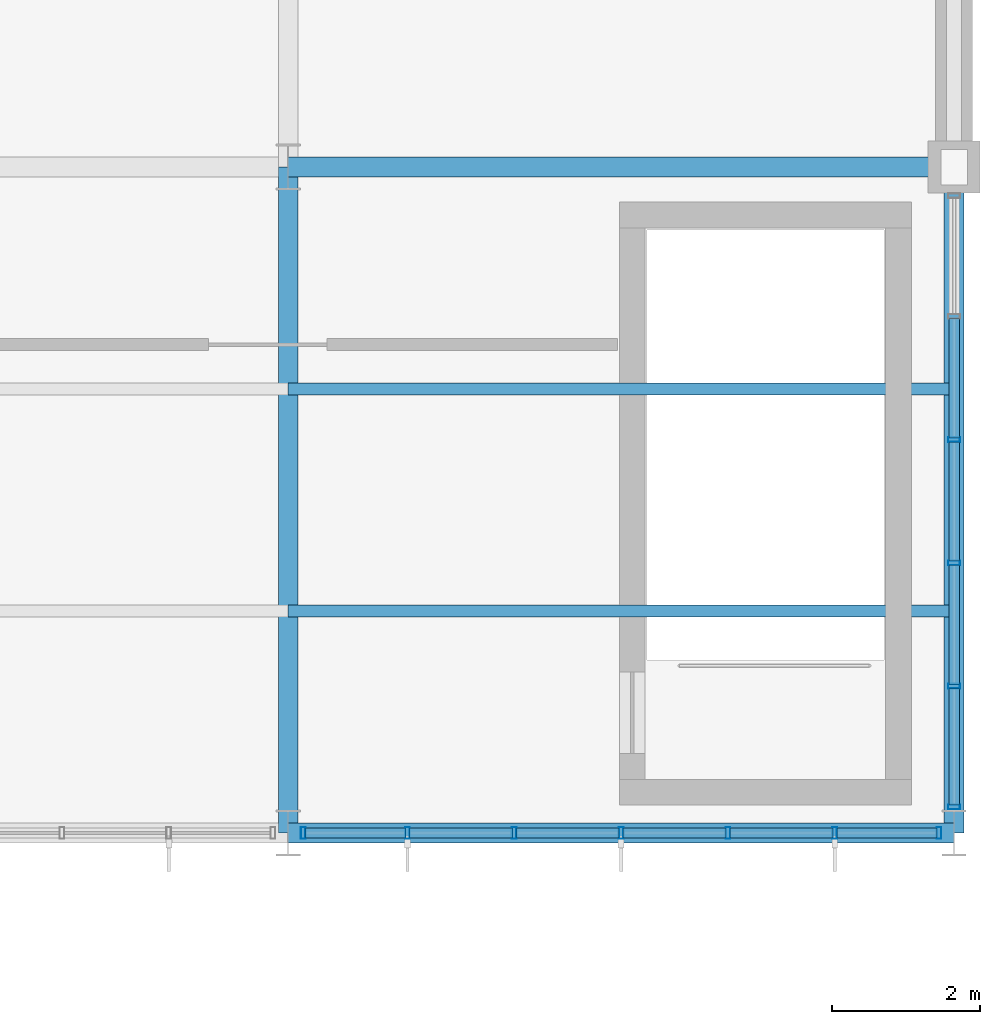
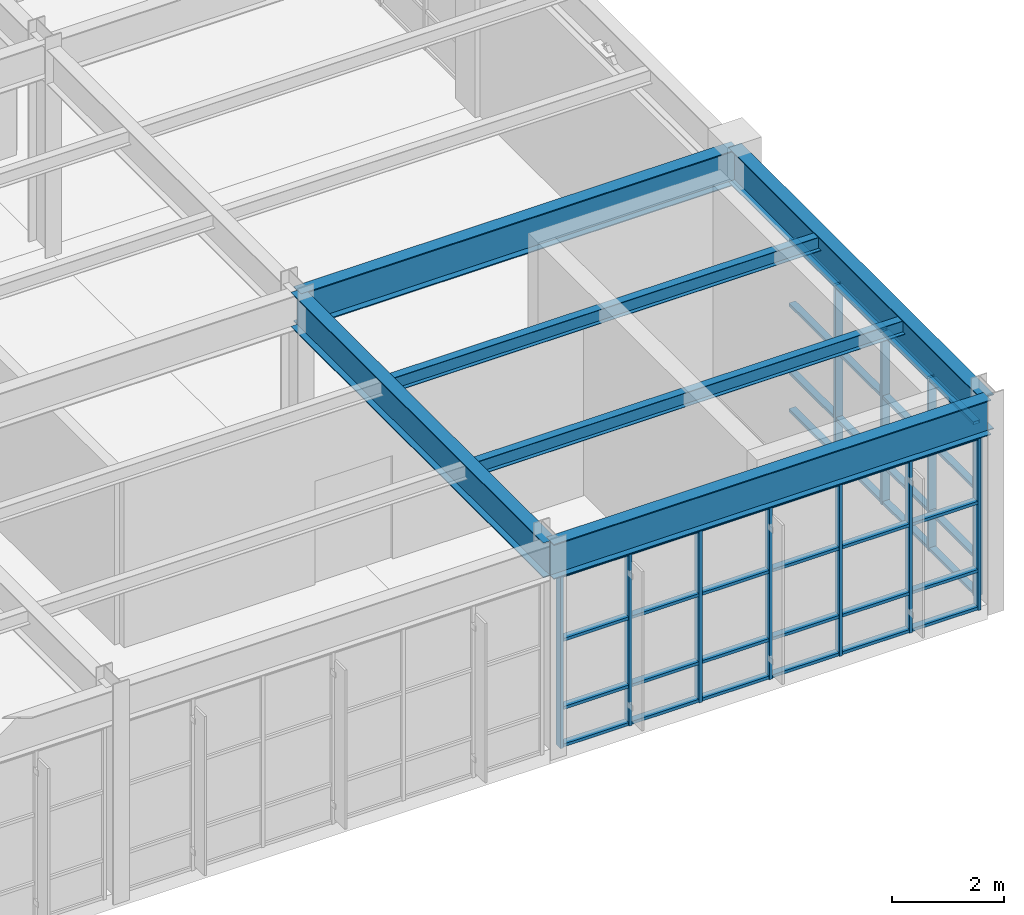
# One storey, part 65 of 99: 53 members, 4 beams, 2 elements without a shape of their own.
"""IFC4 building model written with IfcOpenShell, lengths in metres."""

from ifc_helpers import new_model, si_unit, direction, frame, origin, origin_2d, place, context, subcontext, project, spatial, hollow_rectangle, i_section, extrude, material, layer, layer_set, material_profile, profile_set, type_object, element, aggregate, save


model = new_model("IFC4")

# Units and contexts
model_context = context("Model", 3, precision=1e-05, world=origin(), true_north=direction((0.0, 1.0)))
body_context = subcontext(model_context, "Body", "Model", "MODEL_VIEW")
ifc_project = project(units=[si_unit("LENGTHUNIT", "METRE"), si_unit("AREAUNIT", "SQUARE_METRE"), si_unit("VOLUMEUNIT", "CUBIC_METRE"), si_unit("PLANEANGLEUNIT", "RADIAN"), si_unit("MASSUNIT", "GRAM", prefix="KILO")], contexts=[model_context])

# Site, building, storey
site_placement = place(None, origin())
site = spatial("IfcSite", under=ifc_project, at=site_placement, CompositionType="ELEMENT")
building_placement = place(site_placement, origin())
building = spatial("IfcBuilding", under=site, at=building_placement, Name="Ventoquebrada Cableway Terminal", CompositionType="ELEMENT")
storey_placement = place(building_placement, frame((0.0, 0.0, 9.60009765625)))
storey = spatial("IfcBuildingStorey", under=building, at=storey_placement, Name="L02", CompositionType="ELEMENT", Elevation=9.60009765625)

# Beams
ifc_material_1 = material(Name="Steel ASTM A992 Grade 50", Category="steel")
ifc_material_profile_1 = material_profile(ifc_material_1, i_section(OverallWidth=0.26708984375, OverallDepth=0.761962890625, WebThickness=0.014404296875, FlangeThickness=0.021484375, at=origin_2d()), Name="W30X116")
ifc_profile_set_1 = profile_set([ifc_material_profile_1], Name="Steel ASTM A992 Grade 50")
beam_type = type_object("IfcBeamType", Name="BM-ST05", PredefinedType="BEAM", material=ifc_profile_set_1)
for number, where, z_axis, x_axis, name in (
    (1, (147.0, 77.0, 4.14892578125), (1.0, 0.0, 0.0), (0.0, 1.0, 0.0), "Primary frame girder FBM-0858"),
    (2, (147.0, 86.0, 4.14892578125), (1.0, 0.0, 0.0), (0.0, 1.0, 0.0), "Primary frame girder FBM-0861"),
    (3, (147.0, 77.0, 4.14892578125), (0.0, 1.0, 0.0), (-1.0, 0.0, 0.0), "Primary frame girder FBM-0879"),
    (4, (156.0, 77.0, 4.14892578125), (0.0, 1.0, 0.0), (-1.0, 0.0, 0.0), "Primary frame girder FBM-0882"),
):
    element("IfcBeam", number, at=place(storey_placement, frame(where, z_axis=z_axis, x_axis=x_axis)), inside=storey, type_object=beam_type, Name=name, PredefinedType="BEAM", context=body_context, shape_type="SweptSolid", body=[
        extrude(i_section(OverallWidth=0.26708984375, OverallDepth=0.761962890625, WebThickness=0.014404296875, FlangeThickness=0.021484375, at=origin_2d()), origin(), (0.0, 0.0, 1.0), 9.0),
    ])

# Curtain wall, members
ifc_material_2 = material(Name="Anodized thermally-broken aluminium", Category="aluminium")
ifc_layer_1 = layer(ifc_material_2, 0.159912109375)
ifc_layer_set_1 = layer_set([ifc_layer_1], Name="Anodized thermally-broken aluminium")
curtain_wall_type_1 = type_object("IfcCurtainWallType", Name="CW-T33", PredefinedType="USERDEFINED", material=ifc_layer_set_1)
curtain_wall_1_placement = place(storey_placement, origin())
curtain_wall_1 = element("IfcCurtainWall", 5, at=curtain_wall_1_placement, inside=storey, type_object=curtain_wall_type_1, Name="Unitised glazed curtain wall CW-080", ObjectType="UNITISED CURTAIN WALL", PredefinedType="USERDEFINED")
ifc_material_profile_2 = material_profile(ifc_material_2, hollow_rectangle(XDim=0.06494140625, YDim=0.159912109375, WallThickness=0.00390625, at=origin_2d()), Name="CW-MUL-65X160")
ifc_profile_set_2 = profile_set([ifc_material_profile_2], Name="Anodized thermally-broken aluminium")
member_type_1 = type_object("IfcMemberType", Name="CWM-01", PredefinedType="MULLION", material=ifc_profile_set_2)
member_1_placement = place(storey_placement, frame((147.2041015625, 77.0, -0.008056640625), z_axis=(0.0, 0.0, 1.0), x_axis=(1.0, 0.0, 0.0)))
member_1 = element("IfcMember", 6, at=member_1_placement, type_object=member_type_1, Name="Curtain wall mullion FML-0386", PredefinedType="MULLION", context=body_context, shape_type="SweptSolid", body=[
    extrude(hollow_rectangle(XDim=0.06494140625, YDim=0.159912109375, WallThickness=0.00390625, at=origin_2d()), origin(), (0.0, 0.0, 1.0), 3.77587890625),
])
member_2_placement = place(storey_placement, frame((148.613037109375, 77.0, -0.008056640625), z_axis=(0.0, 0.0, 1.0), x_axis=(1.0, 0.0, 0.0)))
member_2 = element("IfcMember", 7, at=member_2_placement, type_object=member_type_1, Name="Curtain wall mullion FML-0387", PredefinedType="MULLION", context=body_context, shape_type="SweptSolid", body=[
    extrude(hollow_rectangle(XDim=0.06494140625, YDim=0.159912109375, WallThickness=0.00390625, at=origin_2d()), origin(), (0.0, 0.0, 1.0), 3.77587890625),
])
member_3_placement = place(storey_placement, frame((150.055908203125, 77.0, -0.008056640625), z_axis=(0.0, 0.0, 1.0), x_axis=(1.0, 0.0, 0.0)))
member_3 = element("IfcMember", 8, at=member_3_placement, type_object=member_type_1, Name="Curtain wall mullion FML-0388", PredefinedType="MULLION", context=body_context, shape_type="SweptSolid", body=[
    extrude(hollow_rectangle(XDim=0.06494140625, YDim=0.159912109375, WallThickness=0.00390625, at=origin_2d()), origin(), (0.0, 0.0, 1.0), 3.77587890625),
])
member_4_placement = place(storey_placement, frame((151.5, 77.0, -0.008056640625), z_axis=(0.0, 0.0, 1.0), x_axis=(1.0, 0.0, 0.0)))
member_4 = element("IfcMember", 9, at=member_4_placement, type_object=member_type_1, Name="Curtain wall mullion FML-0389", PredefinedType="MULLION", context=body_context, shape_type="SweptSolid", body=[
    extrude(hollow_rectangle(XDim=0.06494140625, YDim=0.159912109375, WallThickness=0.00390625, at=origin_2d()), origin(), (0.0, 0.0, 1.0), 3.77587890625),
])
member_5_placement = place(storey_placement, frame((152.944091796875, 77.0, -0.008056640625), z_axis=(0.0, 0.0, 1.0), x_axis=(1.0, 0.0, 0.0)))
member_5 = element("IfcMember", 10, at=member_5_placement, type_object=member_type_1, Name="Curtain wall mullion FML-0390", PredefinedType="MULLION", context=body_context, shape_type="SweptSolid", body=[
    extrude(hollow_rectangle(XDim=0.06494140625, YDim=0.159912109375, WallThickness=0.00390625, at=origin_2d()), origin(), (0.0, 0.0, 1.0), 3.77587890625),
])
member_6_placement = place(storey_placement, frame((154.386962890625, 77.0, -0.008056640625), z_axis=(0.0, 0.0, 1.0), x_axis=(1.0, 0.0, 0.0)))
member_6 = element("IfcMember", 11, at=member_6_placement, type_object=member_type_1, Name="Curtain wall mullion FML-0391", PredefinedType="MULLION", context=body_context, shape_type="SweptSolid", body=[
    extrude(hollow_rectangle(XDim=0.06494140625, YDim=0.159912109375, WallThickness=0.00390625, at=origin_2d()), origin(), (0.0, 0.0, 1.0), 3.77587890625),
])
member_7_placement = place(storey_placement, frame((155.7958984375, 77.0, -0.008056640625), z_axis=(0.0, 0.0, 1.0), x_axis=(1.0, 0.0, 0.0)))
member_7 = element("IfcMember", 12, at=member_7_placement, type_object=member_type_1, Name="Curtain wall mullion FML-0392", PredefinedType="MULLION", context=body_context, shape_type="SweptSolid", body=[
    extrude(hollow_rectangle(XDim=0.06494140625, YDim=0.159912109375, WallThickness=0.00390625, at=origin_2d()), origin(), (0.0, 0.0, 1.0), 3.77587890625),
])

ifc_layer_2 = layer(ifc_material_2, 0.159912109375)
ifc_layer_set_2 = layer_set([ifc_layer_2], Name="Anodized thermally-broken aluminium")
curtain_wall_type_2 = type_object("IfcCurtainWallType", Name="CW-T34", PredefinedType="USERDEFINED", material=ifc_layer_set_2)
curtain_wall_2_placement = place(storey_placement, origin())
curtain_wall_2 = element("IfcCurtainWall", 13, at=curtain_wall_2_placement, inside=storey, type_object=curtain_wall_type_2, Name="Unitised glazed curtain wall CW-081", ObjectType="UNITISED CURTAIN WALL", PredefinedType="USERDEFINED")
member_8_placement = place(storey_placement, frame((156.0, 77.35107421875, -0.008056640625), z_axis=(0.0, 0.0, 1.0), x_axis=(0.0, 1.0, 0.0)))
member_8 = element("IfcMember", 14, at=member_8_placement, type_object=member_type_1, Name="Curtain wall mullion FML-0393", PredefinedType="MULLION", context=body_context, shape_type="SweptSolid", body=[
    extrude(hollow_rectangle(XDim=0.06494140625, YDim=0.159912109375, WallThickness=0.00390625, at=origin_2d()), origin(), (0.0, 0.0, 1.0), 3.77587890625),
])
member_9_placement = place(storey_placement, frame((156.0, 78.98193359375, -0.008056640625), z_axis=(0.0, 0.0, 1.0), x_axis=(0.0, 1.0, 0.0)))
member_9 = element("IfcMember", 15, at=member_9_placement, type_object=member_type_1, Name="Curtain wall mullion FML-0394", PredefinedType="MULLION", context=body_context, shape_type="SweptSolid", body=[
    extrude(hollow_rectangle(XDim=0.06494140625, YDim=0.159912109375, WallThickness=0.00390625, at=origin_2d()), origin(), (0.0, 0.0, 1.0), 3.77587890625),
])
member_10_placement = place(storey_placement, frame((156.0, 80.64794921875, -0.008056640625), z_axis=(0.0, 0.0, 1.0), x_axis=(0.0, 1.0, 0.0)))
member_10 = element("IfcMember", 16, at=member_10_placement, type_object=member_type_1, Name="Curtain wall mullion FML-0395", PredefinedType="MULLION", context=body_context, shape_type="SweptSolid", body=[
    extrude(hollow_rectangle(XDim=0.06494140625, YDim=0.159912109375, WallThickness=0.00390625, at=origin_2d()), origin(), (0.0, 0.0, 1.0), 3.77587890625),
])
member_11_placement = place(storey_placement, frame((156.0, 82.31298828125, -0.008056640625), z_axis=(0.0, 0.0, 1.0), x_axis=(0.0, 1.0, 0.0)))
member_11 = element("IfcMember", 17, at=member_11_placement, type_object=member_type_1, Name="Curtain wall mullion FML-0396", PredefinedType="MULLION", context=body_context, shape_type="SweptSolid", body=[
    extrude(hollow_rectangle(XDim=0.06494140625, YDim=0.159912109375, WallThickness=0.00390625, at=origin_2d()), origin(), (0.0, 0.0, 1.0), 3.77587890625),
])

# Member
ifc_material_profile_3 = material_profile(ifc_material_2, hollow_rectangle(XDim=0.06494140625, YDim=0.139892578125, WallThickness=0.00390625, at=origin_2d()), Name="CW-TRN-65X140")
ifc_profile_set_3 = profile_set([ifc_material_profile_3], Name="Anodized thermally-broken aluminium")
member_type_2 = type_object("IfcMemberType", Name="CWT-01", PredefinedType="USERDEFINED", material=ifc_profile_set_3)
member_12_placement = place(storey_placement, frame((147.23193359375, 77.0, 0.034912109375), z_axis=(1.0, 0.0, 0.0), x_axis=(0.0, 0.0, 1.0)))
member_12 = element("IfcMember", 18, at=member_12_placement, type_object=member_type_2, Name="Curtain wall transom FTR-1132", ObjectType="TRANSOM", PredefinedType="USERDEFINED", context=body_context, shape_type="SweptSolid", body=[
    extrude(hollow_rectangle(XDim=0.06494140625, YDim=0.139892578125, WallThickness=0.00390625, at=origin_2d()), origin(), (0.0, 0.0, 1.0), 1.35302734375),
])

member_13_placement = place(storey_placement, frame((147.23193359375, 77.0, 0.849853515625), z_axis=(1.0, 0.0, 0.0), x_axis=(0.0, 0.0, 1.0)))
member_13 = element("IfcMember", 19, at=member_13_placement, type_object=member_type_2, Name="Curtain wall transom FTR-1133", ObjectType="TRANSOM", PredefinedType="USERDEFINED", context=body_context, shape_type="SweptSolid", body=[
    extrude(hollow_rectangle(XDim=0.06494140625, YDim=0.139892578125, WallThickness=0.00390625, at=origin_2d()), origin(), (0.0, 0.0, 1.0), 1.35302734375),
])

member_14_placement = place(storey_placement, frame((147.23193359375, 77.0, 2.3330078125), z_axis=(1.0, 0.0, 0.0), x_axis=(0.0, 0.0, 1.0)))
member_14 = element("IfcMember", 20, at=member_14_placement, type_object=member_type_2, Name="Curtain wall transom FTR-1134", ObjectType="TRANSOM", PredefinedType="USERDEFINED", context=body_context, shape_type="SweptSolid", body=[
    extrude(hollow_rectangle(XDim=0.06494140625, YDim=0.139892578125, WallThickness=0.00390625, at=origin_2d()), origin(), (0.0, 0.0, 1.0), 1.35302734375),
])

member_15_placement = place(storey_placement, frame((147.23193359375, 77.0, 3.727783203125), z_axis=(1.0, 0.0, 0.0), x_axis=(0.0, 0.0, 1.0)))
member_15 = element("IfcMember", 21, at=member_15_placement, type_object=member_type_2, Name="Curtain wall transom FTR-1135", ObjectType="TRANSOM", PredefinedType="USERDEFINED", context=body_context, shape_type="SweptSolid", body=[
    extrude(hollow_rectangle(XDim=0.06494140625, YDim=0.139892578125, WallThickness=0.00390625, at=origin_2d()), origin(), (0.0, 0.0, 1.0), 1.35302734375),
])

member_16_placement = place(storey_placement, frame((148.639892578125, 77.0, 0.034912109375), z_axis=(1.0, 0.0, 0.0), x_axis=(0.0, 0.0, 1.0)))
member_16 = element("IfcMember", 22, at=member_16_placement, type_object=member_type_2, Name="Curtain wall transom FTR-1136", ObjectType="TRANSOM", PredefinedType="USERDEFINED", context=body_context, shape_type="SweptSolid", body=[
    extrude(hollow_rectangle(XDim=0.06494140625, YDim=0.139892578125, WallThickness=0.00390625, at=origin_2d()), origin(), (0.0, 0.0, 1.0), 1.38916015625),
])

member_17_placement = place(storey_placement, frame((148.639892578125, 77.0, 0.849853515625), z_axis=(1.0, 0.0, 0.0), x_axis=(0.0, 0.0, 1.0)))
member_17 = element("IfcMember", 23, at=member_17_placement, type_object=member_type_2, Name="Curtain wall transom FTR-1137", ObjectType="TRANSOM", PredefinedType="USERDEFINED", context=body_context, shape_type="SweptSolid", body=[
    extrude(hollow_rectangle(XDim=0.06494140625, YDim=0.139892578125, WallThickness=0.00390625, at=origin_2d()), origin(), (0.0, 0.0, 1.0), 1.38916015625),
])

member_18_placement = place(storey_placement, frame((148.639892578125, 77.0, 2.3330078125), z_axis=(1.0, 0.0, 0.0), x_axis=(0.0, 0.0, 1.0)))
member_18 = element("IfcMember", 24, at=member_18_placement, type_object=member_type_2, Name="Curtain wall transom FTR-1138", ObjectType="TRANSOM", PredefinedType="USERDEFINED", context=body_context, shape_type="SweptSolid", body=[
    extrude(hollow_rectangle(XDim=0.06494140625, YDim=0.139892578125, WallThickness=0.00390625, at=origin_2d()), origin(), (0.0, 0.0, 1.0), 1.38916015625),
])

member_19_placement = place(storey_placement, frame((148.639892578125, 77.0, 3.727783203125), z_axis=(1.0, 0.0, 0.0), x_axis=(0.0, 0.0, 1.0)))
member_19 = element("IfcMember", 25, at=member_19_placement, type_object=member_type_2, Name="Curtain wall transom FTR-1139", ObjectType="TRANSOM", PredefinedType="USERDEFINED", context=body_context, shape_type="SweptSolid", body=[
    extrude(hollow_rectangle(XDim=0.06494140625, YDim=0.139892578125, WallThickness=0.00390625, at=origin_2d()), origin(), (0.0, 0.0, 1.0), 1.38916015625),
])

member_20_placement = place(storey_placement, frame((150.083984375, 77.0, 0.034912109375), z_axis=(1.0, 0.0, 0.0), x_axis=(0.0, 0.0, 1.0)))
member_20 = element("IfcMember", 26, at=member_20_placement, type_object=member_type_2, Name="Curtain wall transom FTR-1140", ObjectType="TRANSOM", PredefinedType="USERDEFINED", context=body_context, shape_type="SweptSolid", body=[
    extrude(hollow_rectangle(XDim=0.06494140625, YDim=0.139892578125, WallThickness=0.00390625, at=origin_2d()), origin(), (0.0, 0.0, 1.0), 1.387939453125),
])

member_21_placement = place(storey_placement, frame((150.083984375, 77.0, 0.849853515625), z_axis=(1.0, 0.0, 0.0), x_axis=(0.0, 0.0, 1.0)))
member_21 = element("IfcMember", 27, at=member_21_placement, type_object=member_type_2, Name="Curtain wall transom FTR-1141", ObjectType="TRANSOM", PredefinedType="USERDEFINED", context=body_context, shape_type="SweptSolid", body=[
    extrude(hollow_rectangle(XDim=0.06494140625, YDim=0.139892578125, WallThickness=0.00390625, at=origin_2d()), origin(), (0.0, 0.0, 1.0), 1.387939453125),
])

member_22_placement = place(storey_placement, frame((150.083984375, 77.0, 2.3330078125), z_axis=(1.0, 0.0, 0.0), x_axis=(0.0, 0.0, 1.0)))
member_22 = element("IfcMember", 28, at=member_22_placement, type_object=member_type_2, Name="Curtain wall transom FTR-1142", ObjectType="TRANSOM", PredefinedType="USERDEFINED", context=body_context, shape_type="SweptSolid", body=[
    extrude(hollow_rectangle(XDim=0.06494140625, YDim=0.139892578125, WallThickness=0.00390625, at=origin_2d()), origin(), (0.0, 0.0, 1.0), 1.387939453125),
])

member_23_placement = place(storey_placement, frame((150.083984375, 77.0, 3.727783203125), z_axis=(1.0, 0.0, 0.0), x_axis=(0.0, 0.0, 1.0)))
member_23 = element("IfcMember", 29, at=member_23_placement, type_object=member_type_2, Name="Curtain wall transom FTR-1143", ObjectType="TRANSOM", PredefinedType="USERDEFINED", context=body_context, shape_type="SweptSolid", body=[
    extrude(hollow_rectangle(XDim=0.06494140625, YDim=0.139892578125, WallThickness=0.00390625, at=origin_2d()), origin(), (0.0, 0.0, 1.0), 1.387939453125),
])

member_24_placement = place(storey_placement, frame((151.528076171875, 77.0, 0.034912109375), z_axis=(1.0, 0.0, 0.0), x_axis=(0.0, 0.0, 1.0)))
member_24 = element("IfcMember", 30, at=member_24_placement, type_object=member_type_2, Name="Curtain wall transom FTR-1144", ObjectType="TRANSOM", PredefinedType="USERDEFINED", context=body_context, shape_type="SweptSolid", body=[
    extrude(hollow_rectangle(XDim=0.06494140625, YDim=0.139892578125, WallThickness=0.00390625, at=origin_2d()), origin(), (0.0, 0.0, 1.0), 1.387939453125),
])

member_25_placement = place(storey_placement, frame((151.528076171875, 77.0, 0.849853515625), z_axis=(1.0, 0.0, 0.0), x_axis=(0.0, 0.0, 1.0)))
member_25 = element("IfcMember", 31, at=member_25_placement, type_object=member_type_2, Name="Curtain wall transom FTR-1145", ObjectType="TRANSOM", PredefinedType="USERDEFINED", context=body_context, shape_type="SweptSolid", body=[
    extrude(hollow_rectangle(XDim=0.06494140625, YDim=0.139892578125, WallThickness=0.00390625, at=origin_2d()), origin(), (0.0, 0.0, 1.0), 1.387939453125),
])

member_26_placement = place(storey_placement, frame((151.528076171875, 77.0, 2.3330078125), z_axis=(1.0, 0.0, 0.0), x_axis=(0.0, 0.0, 1.0)))
member_26 = element("IfcMember", 32, at=member_26_placement, type_object=member_type_2, Name="Curtain wall transom FTR-1146", ObjectType="TRANSOM", PredefinedType="USERDEFINED", context=body_context, shape_type="SweptSolid", body=[
    extrude(hollow_rectangle(XDim=0.06494140625, YDim=0.139892578125, WallThickness=0.00390625, at=origin_2d()), origin(), (0.0, 0.0, 1.0), 1.387939453125),
])

member_27_placement = place(storey_placement, frame((151.528076171875, 77.0, 3.727783203125), z_axis=(1.0, 0.0, 0.0), x_axis=(0.0, 0.0, 1.0)))
member_27 = element("IfcMember", 33, at=member_27_placement, type_object=member_type_2, Name="Curtain wall transom FTR-1147", ObjectType="TRANSOM", PredefinedType="USERDEFINED", context=body_context, shape_type="SweptSolid", body=[
    extrude(hollow_rectangle(XDim=0.06494140625, YDim=0.139892578125, WallThickness=0.00390625, at=origin_2d()), origin(), (0.0, 0.0, 1.0), 1.387939453125),
])

member_28_placement = place(storey_placement, frame((152.970947265625, 77.0, 0.034912109375), z_axis=(1.0, 0.0, 0.0), x_axis=(0.0, 0.0, 1.0)))
member_28 = element("IfcMember", 34, at=member_28_placement, type_object=member_type_2, Name="Curtain wall transom FTR-1148", ObjectType="TRANSOM", PredefinedType="USERDEFINED", context=body_context, shape_type="SweptSolid", body=[
    extrude(hollow_rectangle(XDim=0.06494140625, YDim=0.139892578125, WallThickness=0.00390625, at=origin_2d()), origin(), (0.0, 0.0, 1.0), 1.38916015625),
])

member_29_placement = place(storey_placement, frame((152.970947265625, 77.0, 0.849853515625), z_axis=(1.0, 0.0, 0.0), x_axis=(0.0, 0.0, 1.0)))
member_29 = element("IfcMember", 35, at=member_29_placement, type_object=member_type_2, Name="Curtain wall transom FTR-1149", ObjectType="TRANSOM", PredefinedType="USERDEFINED", context=body_context, shape_type="SweptSolid", body=[
    extrude(hollow_rectangle(XDim=0.06494140625, YDim=0.139892578125, WallThickness=0.00390625, at=origin_2d()), origin(), (0.0, 0.0, 1.0), 1.38916015625),
])

member_30_placement = place(storey_placement, frame((152.970947265625, 77.0, 2.3330078125), z_axis=(1.0, 0.0, 0.0), x_axis=(0.0, 0.0, 1.0)))
member_30 = element("IfcMember", 36, at=member_30_placement, type_object=member_type_2, Name="Curtain wall transom FTR-1150", ObjectType="TRANSOM", PredefinedType="USERDEFINED", context=body_context, shape_type="SweptSolid", body=[
    extrude(hollow_rectangle(XDim=0.06494140625, YDim=0.139892578125, WallThickness=0.00390625, at=origin_2d()), origin(), (0.0, 0.0, 1.0), 1.38916015625),
])

member_31_placement = place(storey_placement, frame((152.970947265625, 77.0, 3.727783203125), z_axis=(1.0, 0.0, 0.0), x_axis=(0.0, 0.0, 1.0)))
member_31 = element("IfcMember", 37, at=member_31_placement, type_object=member_type_2, Name="Curtain wall transom FTR-1151", ObjectType="TRANSOM", PredefinedType="USERDEFINED", context=body_context, shape_type="SweptSolid", body=[
    extrude(hollow_rectangle(XDim=0.06494140625, YDim=0.139892578125, WallThickness=0.00390625, at=origin_2d()), origin(), (0.0, 0.0, 1.0), 1.38916015625),
])

member_32_placement = place(storey_placement, frame((154.4150390625, 77.0, 0.034912109375), z_axis=(1.0, 0.0, 0.0), x_axis=(0.0, 0.0, 1.0)))
member_32 = element("IfcMember", 38, at=member_32_placement, type_object=member_type_2, Name="Curtain wall transom FTR-1152", ObjectType="TRANSOM", PredefinedType="USERDEFINED", context=body_context, shape_type="SweptSolid", body=[
    extrude(hollow_rectangle(XDim=0.06494140625, YDim=0.139892578125, WallThickness=0.00390625, at=origin_2d()), origin(), (0.0, 0.0, 1.0), 1.35302734375),
])

member_33_placement = place(storey_placement, frame((154.4150390625, 77.0, 0.849853515625), z_axis=(1.0, 0.0, 0.0), x_axis=(0.0, 0.0, 1.0)))
member_33 = element("IfcMember", 39, at=member_33_placement, type_object=member_type_2, Name="Curtain wall transom FTR-1153", ObjectType="TRANSOM", PredefinedType="USERDEFINED", context=body_context, shape_type="SweptSolid", body=[
    extrude(hollow_rectangle(XDim=0.06494140625, YDim=0.139892578125, WallThickness=0.00390625, at=origin_2d()), origin(), (0.0, 0.0, 1.0), 1.35302734375),
])

member_34_placement = place(storey_placement, frame((154.4150390625, 77.0, 2.3330078125), z_axis=(1.0, 0.0, 0.0), x_axis=(0.0, 0.0, 1.0)))
member_34 = element("IfcMember", 40, at=member_34_placement, type_object=member_type_2, Name="Curtain wall transom FTR-1154", ObjectType="TRANSOM", PredefinedType="USERDEFINED", context=body_context, shape_type="SweptSolid", body=[
    extrude(hollow_rectangle(XDim=0.06494140625, YDim=0.139892578125, WallThickness=0.00390625, at=origin_2d()), origin(), (0.0, 0.0, 1.0), 1.35302734375),
])

member_35_placement = place(storey_placement, frame((154.4150390625, 77.0, 3.727783203125), z_axis=(1.0, 0.0, 0.0), x_axis=(0.0, 0.0, 1.0)))
member_35 = element("IfcMember", 41, at=member_35_placement, type_object=member_type_2, Name="Curtain wall transom FTR-1155", ObjectType="TRANSOM", PredefinedType="USERDEFINED", context=body_context, shape_type="SweptSolid", body=[
    extrude(hollow_rectangle(XDim=0.06494140625, YDim=0.139892578125, WallThickness=0.00390625, at=origin_2d()), origin(), (0.0, 0.0, 1.0), 1.35302734375),
])

aggregate(curtain_wall_1, [member_1, member_2, member_3, member_4, member_5, member_6, member_7, member_12, member_13, member_14, member_15, member_16, member_17, member_18, member_19, member_20, member_21, member_22, member_23, member_24, member_25, member_26, member_27, member_28, member_29, member_30, member_31, member_32, member_33, member_34, member_35])

member_36_placement = place(storey_placement, frame((156.0, 77.37890625, 0.034912109375), z_axis=(0.0, 1.0, 0.0), x_axis=(0.0, 0.0, 1.0)))
member_36 = element("IfcMember", 42, at=member_36_placement, type_object=member_type_2, Name="Curtain wall transom FTR-1156", ObjectType="TRANSOM", PredefinedType="USERDEFINED", context=body_context, shape_type="SweptSolid", body=[
    extrude(hollow_rectangle(XDim=0.06494140625, YDim=0.139892578125, WallThickness=0.00390625, at=origin_2d()), origin(), (0.0, 0.0, 1.0), 1.5751953125),
])

member_37_placement = place(storey_placement, frame((156.0, 77.37890625, 0.849853515625), z_axis=(0.0, 1.0, 0.0), x_axis=(0.0, 0.0, 1.0)))
member_37 = element("IfcMember", 43, at=member_37_placement, type_object=member_type_2, Name="Curtain wall transom FTR-1157", ObjectType="TRANSOM", PredefinedType="USERDEFINED", context=body_context, shape_type="SweptSolid", body=[
    extrude(hollow_rectangle(XDim=0.06494140625, YDim=0.139892578125, WallThickness=0.00390625, at=origin_2d()), origin(), (0.0, 0.0, 1.0), 1.5751953125),
])

member_38_placement = place(storey_placement, frame((156.0, 77.37890625, 2.3330078125), z_axis=(0.0, 1.0, 0.0), x_axis=(0.0, 0.0, 1.0)))
member_38 = element("IfcMember", 44, at=member_38_placement, type_object=member_type_2, Name="Curtain wall transom FTR-1158", ObjectType="TRANSOM", PredefinedType="USERDEFINED", context=body_context, shape_type="SweptSolid", body=[
    extrude(hollow_rectangle(XDim=0.06494140625, YDim=0.139892578125, WallThickness=0.00390625, at=origin_2d()), origin(), (0.0, 0.0, 1.0), 1.5751953125),
])

member_39_placement = place(storey_placement, frame((156.0, 77.37890625, 3.727783203125), z_axis=(0.0, 1.0, 0.0), x_axis=(0.0, 0.0, 1.0)))
member_39 = element("IfcMember", 45, at=member_39_placement, type_object=member_type_2, Name="Curtain wall transom FTR-1159", ObjectType="TRANSOM", PredefinedType="USERDEFINED", context=body_context, shape_type="SweptSolid", body=[
    extrude(hollow_rectangle(XDim=0.06494140625, YDim=0.139892578125, WallThickness=0.00390625, at=origin_2d()), origin(), (0.0, 0.0, 1.0), 1.5751953125),
])

member_40_placement = place(storey_placement, frame((156.0, 79.009033203125, 0.034912109375), z_axis=(0.0, 1.0, 0.0), x_axis=(0.0, 0.0, 1.0)))
member_40 = element("IfcMember", 46, at=member_40_placement, type_object=member_type_2, Name="Curtain wall transom FTR-1160", ObjectType="TRANSOM", PredefinedType="USERDEFINED", context=body_context, shape_type="SweptSolid", body=[
    extrude(hollow_rectangle(XDim=0.06494140625, YDim=0.139892578125, WallThickness=0.00390625, at=origin_2d()), origin(), (0.0, 0.0, 1.0), 1.611083984375),
])

member_41_placement = place(storey_placement, frame((156.0, 79.009033203125, 0.849853515625), z_axis=(0.0, 1.0, 0.0), x_axis=(0.0, 0.0, 1.0)))
member_41 = element("IfcMember", 47, at=member_41_placement, type_object=member_type_2, Name="Curtain wall transom FTR-1161", ObjectType="TRANSOM", PredefinedType="USERDEFINED", context=body_context, shape_type="SweptSolid", body=[
    extrude(hollow_rectangle(XDim=0.06494140625, YDim=0.139892578125, WallThickness=0.00390625, at=origin_2d()), origin(), (0.0, 0.0, 1.0), 1.611083984375),
])

member_42_placement = place(storey_placement, frame((156.0, 79.009033203125, 2.3330078125), z_axis=(0.0, 1.0, 0.0), x_axis=(0.0, 0.0, 1.0)))
member_42 = element("IfcMember", 48, at=member_42_placement, type_object=member_type_2, Name="Curtain wall transom FTR-1162", ObjectType="TRANSOM", PredefinedType="USERDEFINED", context=body_context, shape_type="SweptSolid", body=[
    extrude(hollow_rectangle(XDim=0.06494140625, YDim=0.139892578125, WallThickness=0.00390625, at=origin_2d()), origin(), (0.0, 0.0, 1.0), 1.611083984375),
])

member_43_placement = place(storey_placement, frame((156.0, 79.009033203125, 3.727783203125), z_axis=(0.0, 1.0, 0.0), x_axis=(0.0, 0.0, 1.0)))
member_43 = element("IfcMember", 49, at=member_43_placement, type_object=member_type_2, Name="Curtain wall transom FTR-1163", ObjectType="TRANSOM", PredefinedType="USERDEFINED", context=body_context, shape_type="SweptSolid", body=[
    extrude(hollow_rectangle(XDim=0.06494140625, YDim=0.139892578125, WallThickness=0.00390625, at=origin_2d()), origin(), (0.0, 0.0, 1.0), 1.611083984375),
])

member_44_placement = place(storey_placement, frame((156.0, 80.675048828125, 0.034912109375), z_axis=(0.0, 1.0, 0.0), x_axis=(0.0, 0.0, 1.0)))
member_44 = element("IfcMember", 50, at=member_44_placement, type_object=member_type_2, Name="Curtain wall transom FTR-1164", ObjectType="TRANSOM", PredefinedType="USERDEFINED", context=body_context, shape_type="SweptSolid", body=[
    extrude(hollow_rectangle(XDim=0.06494140625, YDim=0.139892578125, WallThickness=0.00390625, at=origin_2d()), origin(), (0.0, 0.0, 1.0), 1.61083984375),
])

member_45_placement = place(storey_placement, frame((156.0, 80.675048828125, 0.849853515625), z_axis=(0.0, 1.0, 0.0), x_axis=(0.0, 0.0, 1.0)))
member_45 = element("IfcMember", 51, at=member_45_placement, type_object=member_type_2, Name="Curtain wall transom FTR-1165", ObjectType="TRANSOM", PredefinedType="USERDEFINED", context=body_context, shape_type="SweptSolid", body=[
    extrude(hollow_rectangle(XDim=0.06494140625, YDim=0.139892578125, WallThickness=0.00390625, at=origin_2d()), origin(), (0.0, 0.0, 1.0), 1.61083984375),
])

member_46_placement = place(storey_placement, frame((156.0, 80.675048828125, 2.3330078125), z_axis=(0.0, 1.0, 0.0), x_axis=(0.0, 0.0, 1.0)))
member_46 = element("IfcMember", 52, at=member_46_placement, type_object=member_type_2, Name="Curtain wall transom FTR-1166", ObjectType="TRANSOM", PredefinedType="USERDEFINED", context=body_context, shape_type="SweptSolid", body=[
    extrude(hollow_rectangle(XDim=0.06494140625, YDim=0.139892578125, WallThickness=0.00390625, at=origin_2d()), origin(), (0.0, 0.0, 1.0), 1.61083984375),
])

member_47_placement = place(storey_placement, frame((156.0, 80.675048828125, 3.727783203125), z_axis=(0.0, 1.0, 0.0), x_axis=(0.0, 0.0, 1.0)))
member_47 = element("IfcMember", 53, at=member_47_placement, type_object=member_type_2, Name="Curtain wall transom FTR-1167", ObjectType="TRANSOM", PredefinedType="USERDEFINED", context=body_context, shape_type="SweptSolid", body=[
    extrude(hollow_rectangle(XDim=0.06494140625, YDim=0.139892578125, WallThickness=0.00390625, at=origin_2d()), origin(), (0.0, 0.0, 1.0), 1.61083984375),
])

member_48_placement = place(storey_placement, frame((156.0, 82.341064453125, 0.034912109375), z_axis=(0.0, 1.0, 0.0), x_axis=(0.0, 0.0, 1.0)))
member_48 = element("IfcMember", 54, at=member_48_placement, type_object=member_type_2, Name="Curtain wall transom FTR-1168", ObjectType="TRANSOM", PredefinedType="USERDEFINED", context=body_context, shape_type="SweptSolid", body=[
    extrude(hollow_rectangle(XDim=0.06494140625, YDim=0.139892578125, WallThickness=0.00390625, at=origin_2d()), origin(), (0.0, 0.0, 1.0), 1.61083984375),
])

member_49_placement = place(storey_placement, frame((156.0, 82.341064453125, 0.849853515625), z_axis=(0.0, 1.0, 0.0), x_axis=(0.0, 0.0, 1.0)))
member_49 = element("IfcMember", 55, at=member_49_placement, type_object=member_type_2, Name="Curtain wall transom FTR-1169", ObjectType="TRANSOM", PredefinedType="USERDEFINED", context=body_context, shape_type="SweptSolid", body=[
    extrude(hollow_rectangle(XDim=0.06494140625, YDim=0.139892578125, WallThickness=0.00390625, at=origin_2d()), origin(), (0.0, 0.0, 1.0), 1.61083984375),
])

member_50_placement = place(storey_placement, frame((156.0, 82.341064453125, 2.3330078125), z_axis=(0.0, 1.0, 0.0), x_axis=(0.0, 0.0, 1.0)))
member_50 = element("IfcMember", 56, at=member_50_placement, type_object=member_type_2, Name="Curtain wall transom FTR-1170", ObjectType="TRANSOM", PredefinedType="USERDEFINED", context=body_context, shape_type="SweptSolid", body=[
    extrude(hollow_rectangle(XDim=0.06494140625, YDim=0.139892578125, WallThickness=0.00390625, at=origin_2d()), origin(), (0.0, 0.0, 1.0), 1.61083984375),
])

member_51_placement = place(storey_placement, frame((156.0, 82.341064453125, 3.727783203125), z_axis=(0.0, 1.0, 0.0), x_axis=(0.0, 0.0, 1.0)))
member_51 = element("IfcMember", 57, at=member_51_placement, type_object=member_type_2, Name="Curtain wall transom FTR-1171", ObjectType="TRANSOM", PredefinedType="USERDEFINED", context=body_context, shape_type="SweptSolid", body=[
    extrude(hollow_rectangle(XDim=0.06494140625, YDim=0.139892578125, WallThickness=0.00390625, at=origin_2d()), origin(), (0.0, 0.0, 1.0), 1.61083984375),
])

aggregate(curtain_wall_2, [member_8, member_9, member_10, member_11, member_36, member_37, member_38, member_39, member_40, member_41, member_42, member_43, member_44, member_45, member_46, member_47, member_48, member_49, member_50, member_51])

# Members
ifc_material_profile_4 = material_profile(ifc_material_1, i_section(OverallWidth=0.1650390625, OverallDepth=0.31005859375, WebThickness=0.005859375, FlangeThickness=0.009765625, at=origin_2d()), Name="W12X26")
ifc_profile_set_4 = profile_set([ifc_material_profile_4], Name="Steel ASTM A992 Grade 50")
member_type_3 = type_object("IfcMemberType", Name="PUR-RF05", PredefinedType="PURLIN", material=ifc_profile_set_4)
for number, where, z_axis, x_axis, name in (
    (58, (147.0, 80.0, 4.260009765625), (1.0, 0.0, 0.0), (0.0, 1.0, 0.0), "Roof support purlin RPR-0513"),
    (59, (147.0, 83.0, 4.260009765625), (1.0, 0.0, 0.0), (0.0, 1.0, 0.0), "Roof support purlin RPR-0516"),
):
    element("IfcMember", number, at=place(storey_placement, frame(where, z_axis=z_axis, x_axis=x_axis)), inside=storey, type_object=member_type_3, Name=name, PredefinedType="PURLIN", context=body_context, shape_type="SweptSolid", body=[
        extrude(i_section(OverallWidth=0.1650390625, OverallDepth=0.31005859375, WebThickness=0.005859375, FlangeThickness=0.009765625, at=origin_2d()), origin(), (0.0, 0.0, 1.0), 9.0),
    ])

save(model, "model.ifc")
